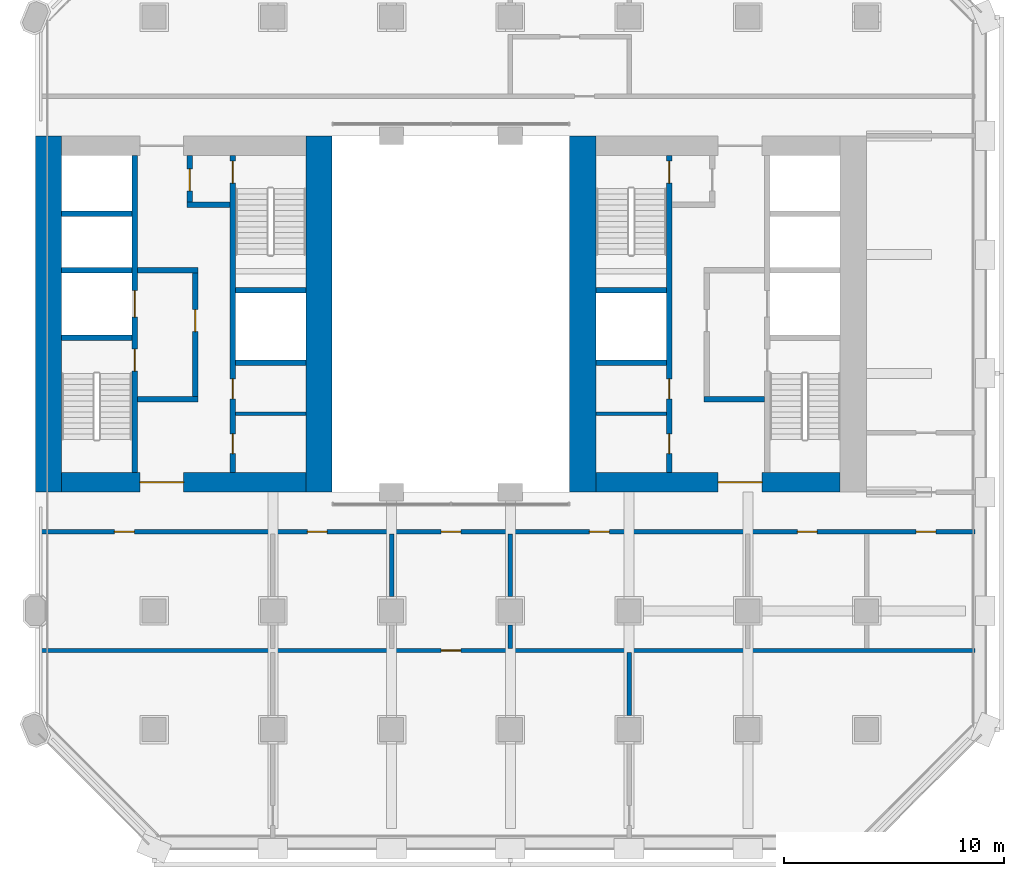
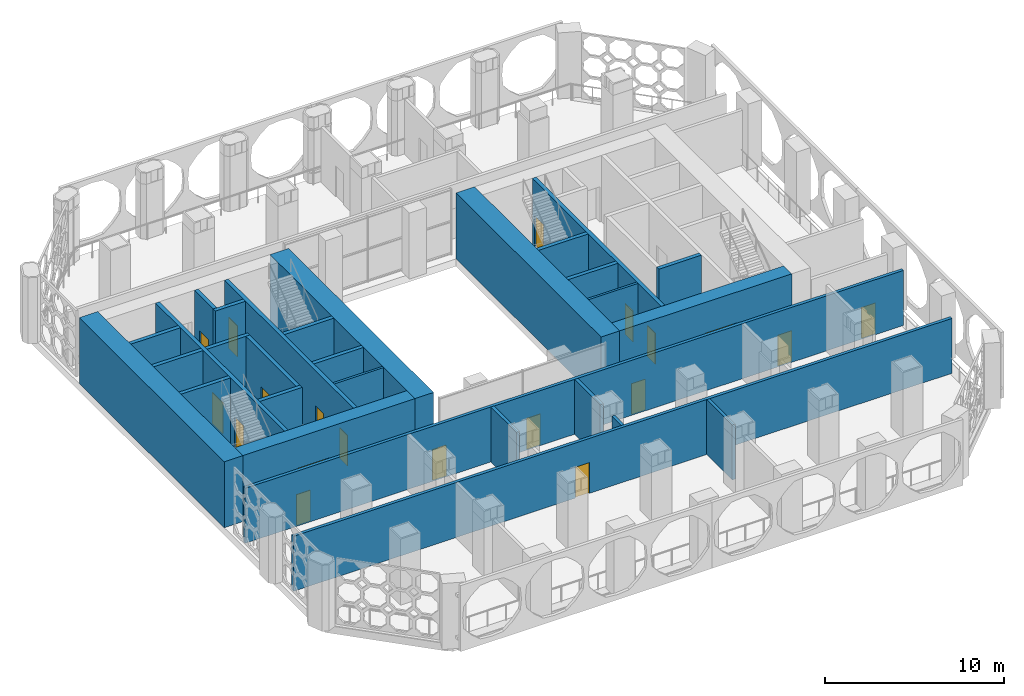
# One storey, part 8 of 14: 29 walls, 19 doors, 19 openings.
"""IFC4 building model written with IfcOpenShell, lengths in metres."""

from ifc_helpers import new_model, si_unit, direction, frame, frame_2d, origin, place, context, subcontext, project, spatial, rectangle, extrude, material, layer, layer_set, type_object, element, fill, save


model = new_model("IFC4")

# Units and contexts
model_context = context("Model", 3, precision=1e-05, world=origin(), true_north=direction((0.0, 1.0)))
body_context = subcontext(model_context, "Body", "Model", "MODEL_VIEW")
ifc_project = project(units=[si_unit("LENGTHUNIT", "METRE"), si_unit("AREAUNIT", "SQUARE_METRE"), si_unit("VOLUMEUNIT", "CUBIC_METRE"), si_unit("PLANEANGLEUNIT", "RADIAN"), si_unit("MASSUNIT", "GRAM", prefix="KILO")], contexts=[model_context])

# Site, building, storey
site_placement = place(None, origin())
site = spatial("IfcSite", under=ifc_project, at=site_placement, CompositionType="ELEMENT")
building_placement = place(site_placement, origin())
building = spatial("IfcBuilding", under=site, at=building_placement, Name="Tabaq Tower and Sports Hall", CompositionType="ELEMENT")
storey_placement = place(building_placement, frame((0.0, 0.0, 60.199951171875)))
storey = spatial("IfcBuildingStorey", under=building, at=storey_placement, Name="L13", CompositionType="ELEMENT", Elevation=60.199951171875)

# Walls
ifc_material_1 = material(Name="Blockwork", Category="masonry")
ifc_layer_1 = layer(ifc_material_1, 0.14990234375)
ifc_layer_set_1 = layer_set([ifc_layer_1], Name="Core room partition 150 Blockwork")
wall_type_1 = type_object("IfcWallType", Name="Core room partition 150 Blockwork", PredefinedType="PARTITIONING", material=ifc_layer_set_1)
wall_1_placement = place(storey_placement, frame((14.5, 19.76708984375, 0.0), z_axis=(0.0, 0.0, 1.0), x_axis=(1.0, 0.0, 0.0)))
element("IfcWall", 1, at=wall_1_placement, inside=storey, type_object=wall_type_1, Name="Core room partition W L13", PredefinedType="PARTITIONING", context=body_context, shape_type="SweptSolid", body=[
    extrude(rectangle(XDim=3.199951171875, YDim=0.14990234375, at=frame_2d((1.60009765625, 0.0))), origin(), (0.0, 0.0, 1.0), 4.5),
])
wall_2_placement = place(storey_placement, frame((30.89990234375, 19.76708984375, 0.0), z_axis=(0.0, 0.0, 1.0), x_axis=(1.0, 0.0, 0.0)))
element("IfcWall", 2, at=wall_2_placement, inside=storey, type_object=wall_type_1, Name="Core room partition E L13", PredefinedType="PARTITIONING", context=body_context, shape_type="SweptSolid", body=[
    extrude(rectangle(XDim=3.2001953125, YDim=0.14990234375, at=frame_2d((1.60009765625, 0.0))), origin(), (0.0, 0.0, 1.0), 4.5),
])
ifc_material_2 = material(Name="Concrete C60/75", Category="concrete")
ifc_layer_2 = layer(ifc_material_2, 1.199951171875)
ifc_layer_set_2 = layer_set([ifc_layer_2], Name="Core wall 1200 Concrete C60/75")
wall_type_2 = type_object("IfcWallType", Name="Core wall 1200 Concrete C60/75", PredefinedType="SOLIDWALL", material=ifc_layer_set_2)
for number, where, z_axis, x_axis, name in (
    (3, (6.0, 16.199951171875, 0.0), (0.0, 0.0, 1.0), (0.0, 1.0, 0.0), "Core wall W L13"),
    (4, (18.300048828125, 32.39990234375, 0.0), (0.0, 0.0, 1.0), (0.0, -1.0, 0.0), "Core wall W L13"),
    (5, (30.300048828125, 16.199951171875, 0.0), (0.0, 0.0, 1.0), (0.0, 1.0, 0.0), "Core wall E L13"),
):
    element("IfcWall", number, at=place(storey_placement, frame(where, z_axis=z_axis, x_axis=x_axis)), inside=storey, type_object=wall_type_2, Name=name, PredefinedType="SOLIDWALL", context=body_context, shape_type="SweptSolid", body=[
        extrude(rectangle(XDim=16.199951171875, YDim=1.199951171875, at=frame_2d((8.10009765625, 0.0))), origin(), (0.0, 0.0, 1.0), 4.5),
    ])

# Wall, opening, door
ifc_material_3 = material(Name="Concrete C60/75", Category="concrete")
ifc_layer_3 = layer(ifc_material_3, 0.89990234375)
ifc_layer_set_3 = layer_set([ifc_layer_3], Name="Core wall 900 Concrete C60/75")
wall_type_3 = type_object("IfcWallType", Name="Core wall 900 Concrete C60/75", PredefinedType="SOLIDWALL", material=ifc_layer_set_3)
wall_3_placement = place(storey_placement, frame((17.699951171875, 16.64990234375, 0.0), z_axis=(0.0, 0.0, 1.0), x_axis=(-1.0, 0.0, 0.0)))
wall_3 = element("IfcWall", 6, at=wall_3_placement, inside=storey, type_object=wall_type_3, Name="Core wall W L13", PredefinedType="SOLIDWALL", context=body_context, shape_type="SweptSolid", body=[
    extrude(rectangle(XDim=11.099853515625, YDim=0.89990234375, at=frame_2d((5.5498046875, 0.0))), origin(), (0.0, 0.0, 1.0), 4.5),
])
opening_1_placement = place(wall_3_placement, frame((5.550048828125, 0.0, 0.0)))
opening_1 = element("IfcOpeningElement", 7, at=opening_1_placement, cuts=wall_3, Name="Opening PD-WL13-01", PredefinedType="OPENING", context=body_context, shape_type="SweptSolid", body=[
    extrude(rectangle(XDim=2.0, YDim=2.39990234375, at=frame_2d((1.0, 1.199951171875))), frame((0.0, 0.449951171875, 0.0), z_axis=(0.0, -1.0, 0.0), x_axis=(1.0, 0.0, 0.0)), (0.0, 0.0, 1.0), 0.89990234375),
])
ifc_material_4 = material(Name="Steel fire door", Category="steel")
door_type_1 = type_object("IfcDoorType", Name="Core entrance door 2000", OperationType="DOUBLE_DOOR_SINGLE_SWING", PredefinedType="DOOR", material=ifc_material_4)
door_1_placement = place(opening_1_placement, origin())
door_1 = element("IfcDoor", 8, at=door_1_placement, inside=storey, type_object=door_type_1, Name="Core entrance south W L13", OperationType="DOUBLE_DOOR_SINGLE_SWING", OverallHeight=2.39990234375, OverallWidth=2.0, PredefinedType="DOOR", context=body_context, shape_type="SweptSolid", body=[
    extrude(rectangle(XDim=2.0, YDim=2.39990234375, at=frame_2d((1.0, 1.199951171875))), frame((0.0, 0.02490234375, 0.0), z_axis=(0.0, -1.0, 0.0), x_axis=(1.0, 0.0, 0.0)), (0.0, 0.0, 1.0), 0.050048828125),
])
fill(opening_1, door_1)

wall_4_placement = place(storey_placement, frame((42.0, 16.64990234375, 0.0), z_axis=(0.0, 0.0, 1.0), x_axis=(-1.0, 0.0, 0.0)))
wall_4 = element("IfcWall", 9, at=wall_4_placement, inside=storey, type_object=wall_type_3, Name="Core wall E L13", PredefinedType="SOLIDWALL", context=body_context, shape_type="SweptSolid", body=[
    extrude(rectangle(XDim=11.10009765625, YDim=0.89990234375, at=frame_2d((5.550048828125, 0.0))), origin(), (0.0, 0.0, 1.0), 4.5),
])
opening_2_placement = place(wall_4_placement, frame((3.550048828125, 0.0, 0.0)))
opening_2 = element("IfcOpeningElement", 10, at=opening_2_placement, cuts=wall_4, Name="Opening PD-EL13-01", PredefinedType="OPENING", context=body_context, shape_type="SweptSolid", body=[
    extrude(rectangle(XDim=2.0, YDim=2.39990234375, at=frame_2d((1.0, 1.199951171875))), frame((0.0, 0.449951171875, 0.0), z_axis=(0.0, -1.0, 0.0), x_axis=(1.0, 0.0, 0.0)), (0.0, 0.0, 1.0), 0.89990234375),
])
door_2_placement = place(opening_2_placement, origin())
door_2 = element("IfcDoor", 11, at=door_2_placement, inside=storey, type_object=door_type_1, Name="Core entrance south E L13", OperationType="DOUBLE_DOOR_SINGLE_SWING", OverallHeight=2.39990234375, OverallWidth=2.0, PredefinedType="DOOR", context=body_context, shape_type="SweptSolid", body=[
    extrude(rectangle(XDim=2.0, YDim=2.39990234375, at=frame_2d((1.0, 1.199951171875))), frame((0.0, 0.02490234375, 0.0), z_axis=(0.0, -1.0, 0.0), x_axis=(1.0, 0.0, 0.0)), (0.0, 0.0, 1.0), 0.050048828125),
])
fill(opening_2, door_2)

# Wall, openings, doors
ifc_material_5 = material(Name="Blockwork", Category="masonry")
ifc_layer_4 = layer(ifc_material_5, 0.199951171875)
ifc_layer_set_4 = layer_set([ifc_layer_4], Name="Fire compartment wall 200 Blockwork")
wall_type_4 = type_object("IfcWallType", Name="Fire compartment wall 200 Blockwork", PredefinedType="PARTITIONING", material=ifc_layer_set_4)
wall_5_placement = place(storey_placement, frame((5.64990234375, 14.39990234375, 0.0), z_axis=(0.0, 0.0, 1.0), x_axis=(1.0, 0.0, 0.0)))
wall_5 = element("IfcWall", 12, at=wall_5_placement, inside=storey, type_object=wall_type_4, Name="Compartment wall L13", PredefinedType="PARTITIONING", context=body_context, shape_type="SweptSolid", body=[
    extrude(rectangle(XDim=42.47021484375, YDim=0.199951171875, at=frame_2d((21.235107421875, 0.0))), origin(), (0.0, 0.0, 1.0), 3.75),
])
opening_3_placement = place(wall_5_placement, frame((3.35009765625, 0.0, 0.0)))
opening_3 = element("IfcOpeningElement", 13, at=opening_3_placement, cuts=wall_5, Name="Opening L13-001", PredefinedType="OPENING", context=body_context, shape_type="SweptSolid", body=[
    extrude(rectangle(XDim=0.89990234375, YDim=2.10009765625, at=frame_2d((0.449951171875, 1.050048828125))), frame((0.0, 0.10009765625, 0.0), z_axis=(0.0, -1.0, 0.0), x_axis=(1.0, 0.0, 0.0)), (0.0, 0.0, 1.0), 0.199951171875),
])
opening_4_placement = place(wall_5_placement, frame((12.125, 0.0, 0.0)))
opening_4 = element("IfcOpeningElement", 14, at=opening_4_placement, cuts=wall_5, Name="Opening L13-002", PredefinedType="OPENING", context=body_context, shape_type="SweptSolid", body=[
    extrude(rectangle(XDim=0.89990234375, YDim=2.10009765625, at=frame_2d((0.449951171875, 1.050048828125))), frame((0.0, 0.10009765625, 0.0), z_axis=(0.0, -1.0, 0.0), x_axis=(1.0, 0.0, 0.0)), (0.0, 0.0, 1.0), 0.199951171875),
])
opening_5_placement = place(wall_5_placement, frame((24.949951171875, 0.0, 0.0)))
opening_5 = element("IfcOpeningElement", 15, at=opening_5_placement, cuts=wall_5, Name="Opening L13-003", PredefinedType="OPENING", context=body_context, shape_type="SweptSolid", body=[
    extrude(rectangle(XDim=0.89990234375, YDim=2.10009765625, at=frame_2d((0.449951171875, 1.050048828125))), frame((0.0, 0.10009765625, 0.0), z_axis=(0.0, -1.0, 0.0), x_axis=(1.0, 0.0, 0.0)), (0.0, 0.0, 1.0), 0.199951171875),
])
opening_6_placement = place(wall_5_placement, frame((34.39990234375, 0.0, 0.0)))
opening_6 = element("IfcOpeningElement", 16, at=opening_6_placement, cuts=wall_5, Name="Opening L13-004", PredefinedType="OPENING", context=body_context, shape_type="SweptSolid", body=[
    extrude(rectangle(XDim=0.89990234375, YDim=2.10009765625, at=frame_2d((0.449951171875, 1.050048828125))), frame((0.0, 0.10009765625, 0.0), z_axis=(0.0, -1.0, 0.0), x_axis=(1.0, 0.0, 0.0)), (0.0, 0.0, 1.0), 0.199951171875),
])
opening_7_placement = place(wall_5_placement, frame((39.800048828125, 0.0, 0.0)))
opening_7 = element("IfcOpeningElement", 17, at=opening_7_placement, cuts=wall_5, Name="Opening L13-005", PredefinedType="OPENING", context=body_context, shape_type="SweptSolid", body=[
    extrude(rectangle(XDim=0.89990234375, YDim=2.10009765625, at=frame_2d((0.449951171875, 1.050048828125))), frame((0.0, 0.10009765625, 0.0), z_axis=(0.0, -1.0, 0.0), x_axis=(1.0, 0.0, 0.0)), (0.0, 0.0, 1.0), 0.199951171875),
])
opening_8_placement = place(wall_5_placement, frame((18.199951171875, 0.0, 0.0)))
opening_8 = element("IfcOpeningElement", 18, at=opening_8_placement, cuts=wall_5, Name="Opening L13-011", PredefinedType="OPENING", context=body_context, shape_type="SweptSolid", body=[
    extrude(rectangle(XDim=0.89990234375, YDim=2.10009765625, at=frame_2d((0.449951171875, 1.050048828125))), frame((0.0, 0.10009765625, 0.0), z_axis=(0.0, -1.0, 0.0), x_axis=(1.0, 0.0, 0.0)), (0.0, 0.0, 1.0), 0.199951171875),
])
ifc_material_6 = material(Name="Steel fire door", Category="steel")
door_type_2 = type_object("IfcDoorType", Name="Plant room door 900 left hand", OperationType="SINGLE_SWING_LEFT", PredefinedType="DOOR", material=ifc_material_6)
door_3_placement = place(opening_3_placement, origin())
door_3 = element("IfcDoor", 19, at=door_3_placement, inside=storey, type_object=door_type_2, Name="Plant room door L13-001", OperationType="SINGLE_SWING_LEFT", OverallHeight=2.10009765625, OverallWidth=0.89990234375, PredefinedType="DOOR", context=body_context, shape_type="SweptSolid", body=[
    extrude(rectangle(XDim=0.89990234375, YDim=2.10009765625, at=frame_2d((0.449951171875, 1.050048828125))), frame((0.0, 0.02490234375, 0.0), z_axis=(0.0, -1.0, 0.0), x_axis=(1.0, 0.0, 0.0)), (0.0, 0.0, 1.0), 0.050048828125),
])
fill(opening_3, door_3)
door_4_placement = place(opening_4_placement, origin())
door_4 = element("IfcDoor", 20, at=door_4_placement, inside=storey, type_object=door_type_2, Name="Plant room door L13-002", OperationType="SINGLE_SWING_LEFT", OverallHeight=2.10009765625, OverallWidth=0.89990234375, PredefinedType="DOOR", context=body_context, shape_type="SweptSolid", body=[
    extrude(rectangle(XDim=0.89990234375, YDim=2.10009765625, at=frame_2d((0.449951171875, 1.050048828125))), frame((0.0, 0.02490234375, 0.0), z_axis=(0.0, -1.0, 0.0), x_axis=(1.0, 0.0, 0.0)), (0.0, 0.0, 1.0), 0.050048828125),
])
fill(opening_4, door_4)
door_5_placement = place(opening_5_placement, origin())
door_5 = element("IfcDoor", 21, at=door_5_placement, inside=storey, type_object=door_type_2, Name="Plant room door L13-003", OperationType="SINGLE_SWING_LEFT", OverallHeight=2.10009765625, OverallWidth=0.89990234375, PredefinedType="DOOR", context=body_context, shape_type="SweptSolid", body=[
    extrude(rectangle(XDim=0.89990234375, YDim=2.10009765625, at=frame_2d((0.449951171875, 1.050048828125))), frame((0.0, 0.02490234375, 0.0), z_axis=(0.0, -1.0, 0.0), x_axis=(1.0, 0.0, 0.0)), (0.0, 0.0, 1.0), 0.050048828125),
])
fill(opening_5, door_5)
ifc_material_7 = material(Name="Steel fire door", Category="steel")
door_type_3 = type_object("IfcDoorType", Name="Plant room door 900 right hand", OperationType="SINGLE_SWING_RIGHT", PredefinedType="DOOR", material=ifc_material_7)
door_6_placement = place(opening_6_placement, origin())
door_6 = element("IfcDoor", 22, at=door_6_placement, inside=storey, type_object=door_type_3, Name="Plant room door L13-004", OperationType="SINGLE_SWING_RIGHT", OverallHeight=2.10009765625, OverallWidth=0.89990234375, PredefinedType="DOOR", context=body_context, shape_type="SweptSolid", body=[
    extrude(rectangle(XDim=0.89990234375, YDim=2.10009765625, at=frame_2d((0.449951171875, 1.050048828125))), frame((0.0, 0.02490234375, 0.0), z_axis=(0.0, -1.0, 0.0), x_axis=(1.0, 0.0, 0.0)), (0.0, 0.0, 1.0), 0.050048828125),
])
fill(opening_6, door_6)
door_7_placement = place(opening_7_placement, origin())
door_7 = element("IfcDoor", 23, at=door_7_placement, inside=storey, type_object=door_type_3, Name="Plant room door L13-005", OperationType="SINGLE_SWING_RIGHT", OverallHeight=2.10009765625, OverallWidth=0.89990234375, PredefinedType="DOOR", context=body_context, shape_type="SweptSolid", body=[
    extrude(rectangle(XDim=0.89990234375, YDim=2.10009765625, at=frame_2d((0.449951171875, 1.050048828125))), frame((0.0, 0.02490234375, 0.0), z_axis=(0.0, -1.0, 0.0), x_axis=(1.0, 0.0, 0.0)), (0.0, 0.0, 1.0), 0.050048828125),
])
fill(opening_7, door_7)
door_8_placement = place(opening_8_placement, origin())
door_8 = element("IfcDoor", 24, at=door_8_placement, inside=storey, type_object=door_type_3, Name="Plant room door L13-011", OperationType="SINGLE_SWING_RIGHT", OverallHeight=2.10009765625, OverallWidth=0.89990234375, PredefinedType="DOOR", context=body_context, shape_type="SweptSolid", body=[
    extrude(rectangle(XDim=0.89990234375, YDim=2.10009765625, at=frame_2d((0.449951171875, 1.050048828125))), frame((0.0, 0.02490234375, 0.0), z_axis=(0.0, -1.0, 0.0), x_axis=(1.0, 0.0, 0.0)), (0.0, 0.0, 1.0), 0.050048828125),
])
fill(opening_8, door_8)

# Wall
wall_6_placement = place(storey_placement, frame((32.39990234375, 6.05078125, 0.0), z_axis=(0.0, 0.0, 1.0), x_axis=(0.0, 1.0, 0.0)))
element("IfcWall", 25, at=wall_6_placement, inside=storey, type_object=wall_type_4, Name="Compartment wall L13", PredefinedType="PARTITIONING", context=body_context, shape_type="SweptSolid", body=[
    extrude(rectangle(XDim=2.84912109375, YDim=0.199951171875, at=frame_2d((1.424560546875, 0.0))), origin(), (0.0, 0.0, 1.0), 3.75),
])

# Wall, opening, door
wall_7_placement = place(storey_placement, frame((48.1201171875, 9.0, 0.0), z_axis=(0.0, 0.0, 1.0), x_axis=(-1.0, 0.0, 0.0)))
wall_7 = element("IfcWall", 26, at=wall_7_placement, inside=storey, type_object=wall_type_4, Name="Compartment wall L13", PredefinedType="PARTITIONING", context=body_context, shape_type="SweptSolid", body=[
    extrude(rectangle(XDim=42.47021484375, YDim=0.199951171875, at=frame_2d((21.235107421875, 0.0))), origin(), (0.0, 0.0, 1.0), 3.75),
])
opening_9_placement = place(wall_7_placement, frame((23.3701171875, 0.0, 0.0)))
opening_9 = element("IfcOpeningElement", 27, at=opening_9_placement, cuts=wall_7, Name="Opening L13-015", PredefinedType="OPENING", context=body_context, shape_type="SweptSolid", body=[
    extrude(rectangle(XDim=0.89990234375, YDim=2.10009765625, at=frame_2d((0.449951171875, 1.050048828125))), frame((0.0, 0.10009765625, 0.0), z_axis=(0.0, -1.0, 0.0), x_axis=(1.0, 0.0, 0.0)), (0.0, 0.0, 1.0), 0.199951171875),
])
ifc_material_8 = material(Name="Steel fire door", Category="steel")
door_type_4 = type_object("IfcDoorType", Name="Refuge holding area door 900 right hand", OperationType="SINGLE_SWING_RIGHT", PredefinedType="DOOR", material=ifc_material_8)
door_9_placement = place(opening_9_placement, origin())
door_9 = element("IfcDoor", 28, at=door_9_placement, inside=storey, type_object=door_type_4, Name="Refuge holding area door L13-015", OperationType="SINGLE_SWING_RIGHT", OverallHeight=2.10009765625, OverallWidth=0.89990234375, PredefinedType="DOOR", context=body_context, shape_type="SweptSolid", body=[
    extrude(rectangle(XDim=0.89990234375, YDim=2.10009765625, at=frame_2d((0.449951171875, 1.050048828125))), frame((0.0, 0.02490234375, 0.0), z_axis=(0.0, -1.0, 0.0), x_axis=(1.0, 0.0, 0.0)), (0.0, 0.0, 1.0), 0.050048828125),
])
fill(opening_9, door_9)

# Walls
for number, where, z_axis, x_axis, name in (
    (29, (21.60009765625, 11.45068359375, 0.0), (0.0, 0.0, 1.0), (0.0, 1.0, 0.0), "Compartment wall L13"),
    (30, (27.0, 14.300048828125, 0.0), (0.0, 0.0, 1.0), (0.0, -1.0, 0.0), "Compartment wall L13"),
):
    element("IfcWall", number, at=place(storey_placement, frame(where, z_axis=z_axis, x_axis=x_axis)), inside=storey, type_object=wall_type_4, Name=name, PredefinedType="PARTITIONING", context=body_context, shape_type="SweptSolid", body=[
        extrude(rectangle(XDim=2.849365234375, YDim=0.199951171875, at=frame_2d((1.4248046875, 0.0))), origin(), (0.0, 0.0, 1.0), 3.75),
    ])
wall_8_placement = place(storey_placement, frame((27.0, 10.1494140625, 0.0), z_axis=(0.0, 0.0, 1.0), x_axis=(0.0, -1.0, 0.0)))
element("IfcWall", 31, at=wall_8_placement, inside=storey, type_object=wall_type_4, Name="Compartment wall L13", PredefinedType="PARTITIONING", context=body_context, shape_type="SweptSolid", body=[
    extrude(rectangle(XDim=1.04931640625, YDim=0.199951171875, at=frame_2d((0.524658203125, 0.0))), origin(), (0.0, 0.0, 1.0), 3.75),
])

# Wall, openings, doors
ifc_material_9 = material(Name="Concrete C40/50", Category="concrete")
ifc_layer_5 = layer(ifc_material_9, 0.25)
ifc_layer_set_5 = layer_set([ifc_layer_5], Name="Shaft and stair wall 250 Concrete C40/50")
wall_type_5 = type_object("IfcWallType", Name="Shaft and stair wall 250 Concrete C40/50", PredefinedType="SOLIDWALL", material=ifc_layer_set_5)
wall_9_placement = place(storey_placement, frame((9.925048828125, 17.10009765625, 0.0), z_axis=(0.0, 0.0, 1.0), x_axis=(0.0, 1.0, 0.0)))
wall_9 = element("IfcWall", 32, at=wall_9_placement, inside=storey, type_object=wall_type_5, Name="Shaft wall W L13", PredefinedType="SOLIDWALL", context=body_context, shape_type="SweptSolid", body=[
    extrude(rectangle(XDim=14.39990234375, YDim=0.25, at=frame_2d((7.199951171875, 0.0))), origin(), (0.0, 0.0, 1.0), 4.5),
])
opening_10_placement = place(wall_9_placement, frame((4.60009765625, 0.0, 0.0)))
opening_10 = element("IfcOpeningElement", 33, at=opening_10_placement, cuts=wall_9, Name="Opening SD-WL13-03", PredefinedType="OPENING", context=body_context, shape_type="SweptSolid", body=[
    extrude(rectangle(XDim=1.0, YDim=2.10009765625, at=frame_2d((0.5, 1.050048828125))), frame((0.0, 0.125, 0.0), z_axis=(0.0, -1.0, 0.0), x_axis=(1.0, 0.0, 0.0)), (0.0, 0.0, 1.0), 0.25),
])
opening_11_placement = place(wall_9_placement, frame((7.0625, 0.0, 0.0)))
opening_11 = element("IfcOpeningElement", 34, at=opening_11_placement, cuts=wall_9, Name="Opening LD-FF1-L13", PredefinedType="OPENING", context=body_context, shape_type="SweptSolid", body=[
    extrude(rectangle(XDim=1.199951171875, YDim=2.10009765625, at=frame_2d((0.60009765625, 1.050048828125))), frame((0.0, 0.125, 0.0), z_axis=(0.0, -1.0, 0.0), x_axis=(1.0, 0.0, 0.0)), (0.0, 0.0, 1.0), 0.25),
])
ifc_material_10 = material(Name="Stainless steel", Category="steel")
door_type_5 = type_object("IfcDoorType", Name="Lift landing door 1200", OperationType="DOUBLE_DOOR_SLIDING", PredefinedType="DOOR", material=ifc_material_10)
door_10_placement = place(opening_11_placement, origin())
door_10 = element("IfcDoor", 35, at=door_10_placement, inside=storey, type_object=door_type_5, Name="Lift landing door FF1 W L13", OperationType="DOUBLE_DOOR_SLIDING", OverallHeight=2.10009765625, OverallWidth=1.199951171875, PredefinedType="DOOR", context=body_context, shape_type="SweptSolid", body=[
    extrude(rectangle(XDim=1.199951171875, YDim=2.10009765625, at=frame_2d((0.60009765625, 1.050048828125))), frame((0.0, 0.02490234375, 0.0), z_axis=(0.0, -1.0, 0.0), x_axis=(1.0, 0.0, 0.0)), (0.0, 0.0, 1.0), 0.050048828125),
])
fill(opening_11, door_10)
ifc_material_11 = material(Name="Steel fire door", Category="steel")
door_type_6 = type_object("IfcDoorType", Name="Stair door 1000", OperationType="SINGLE_SWING_LEFT", PredefinedType="DOOR", material=ifc_material_11)
door_11_placement = place(opening_10_placement, origin())
door_11 = element("IfcDoor", 36, at=door_11_placement, inside=storey, type_object=door_type_6, Name="Stair door ST1 W L13", OperationType="SINGLE_SWING_LEFT", OverallHeight=2.10009765625, OverallWidth=1.0, PredefinedType="DOOR", context=body_context, shape_type="SweptSolid", body=[
    extrude(rectangle(XDim=1.0, YDim=2.10009765625, at=frame_2d((0.5, 1.050048828125))), frame((0.0, 0.02490234375, 0.0), z_axis=(0.0, -1.0, 0.0), x_axis=(1.0, 0.0, 0.0)), (0.0, 0.0, 1.0), 0.050048828125),
])
fill(opening_10, door_11)

wall_10_placement = place(storey_placement, frame((14.375, 17.10009765625, 0.0), z_axis=(0.0, 0.0, 1.0), x_axis=(0.0, 1.0, 0.0)))
wall_10 = element("IfcWall", 37, at=wall_10_placement, inside=storey, type_object=wall_type_5, Name="Shaft wall W L13", PredefinedType="SOLIDWALL", context=body_context, shape_type="SweptSolid", body=[
    extrude(rectangle(XDim=14.39990234375, YDim=0.25, at=frame_2d((7.199951171875, 0.0))), origin(), (0.0, 0.0, 1.0), 4.5),
])
opening_12_placement = place(wall_10_placement, frame((13.14990234375, 0.0, 0.0)))
opening_12 = element("IfcOpeningElement", 38, at=opening_12_placement, cuts=wall_10, Name="Opening SD-WL13-05", PredefinedType="OPENING", context=body_context, shape_type="SweptSolid", body=[
    extrude(rectangle(XDim=1.0, YDim=2.10009765625, at=frame_2d((0.5, 1.050048828125))), frame((0.0, 0.125, 0.0), z_axis=(0.0, -1.0, 0.0), x_axis=(1.0, 0.0, 0.0)), (0.0, 0.0, 1.0), 0.25),
])
opening_13_placement = place(wall_10_placement, frame((0.845947265625, 0.0, 0.0)))
opening_13 = element("IfcOpeningElement", 39, at=opening_13_placement, cuts=wall_10, Name="Opening RD-WL13-08", PredefinedType="OPENING", context=body_context, shape_type="SweptSolid", body=[
    extrude(rectangle(XDim=0.89990234375, YDim=2.10009765625, at=frame_2d((0.449951171875, 1.050048828125))), frame((0.0, 0.125, 0.0), z_axis=(0.0, -1.0, 0.0), x_axis=(1.0, 0.0, 0.0)), (0.0, 0.0, 1.0), 0.25),
])
opening_14_placement = place(wall_10_placement, frame((3.345947265625, 0.0, 0.0)))
opening_14 = element("IfcOpeningElement", 40, at=opening_14_placement, cuts=wall_10, Name="Opening RD-WL13-09", PredefinedType="OPENING", context=body_context, shape_type="SweptSolid", body=[
    extrude(rectangle(XDim=0.89990234375, YDim=2.10009765625, at=frame_2d((0.449951171875, 1.050048828125))), frame((0.0, 0.125, 0.0), z_axis=(0.0, -1.0, 0.0), x_axis=(1.0, 0.0, 0.0)), (0.0, 0.0, 1.0), 0.25),
])
ifc_material_12 = material(Name="Steel fire door", Category="steel")
door_type_7 = type_object("IfcDoorType", Name="Core room door 900", OperationType="SINGLE_SWING_LEFT", PredefinedType="DOOR", material=ifc_material_12)
door_12_placement = place(opening_13_placement, origin())
door_12 = element("IfcDoor", 41, at=door_12_placement, inside=storey, type_object=door_type_7, Name="Door Refuge Floor Plant Room W L13", OperationType="SINGLE_SWING_LEFT", OverallHeight=2.10009765625, OverallWidth=0.89990234375, PredefinedType="DOOR", context=body_context, shape_type="SweptSolid", body=[
    extrude(rectangle(XDim=0.89990234375, YDim=2.10009765625, at=frame_2d((0.449951171875, 1.050048828125))), frame((0.0, 0.02490234375, 0.0), z_axis=(0.0, -1.0, 0.0), x_axis=(1.0, 0.0, 0.0)), (0.0, 0.0, 1.0), 0.050048828125),
])
fill(opening_13, door_12)
door_13_placement = place(opening_14_placement, origin())
door_13 = element("IfcDoor", 42, at=door_13_placement, inside=storey, type_object=door_type_7, Name="Door Smoke Extract Riser Room W L13", OperationType="SINGLE_SWING_LEFT", OverallHeight=2.10009765625, OverallWidth=0.89990234375, PredefinedType="DOOR", context=body_context, shape_type="SweptSolid", body=[
    extrude(rectangle(XDim=0.89990234375, YDim=2.10009765625, at=frame_2d((0.449951171875, 1.050048828125))), frame((0.0, 0.02490234375, 0.0), z_axis=(0.0, -1.0, 0.0), x_axis=(1.0, 0.0, 0.0)), (0.0, 0.0, 1.0), 0.050048828125),
])
fill(opening_14, door_13)
door_14_placement = place(opening_12_placement, origin())
door_14 = element("IfcDoor", 43, at=door_14_placement, inside=storey, type_object=door_type_6, Name="Stair door ST2 W L13", OperationType="SINGLE_SWING_LEFT", OverallHeight=2.10009765625, OverallWidth=1.0, PredefinedType="DOOR", context=body_context, shape_type="SweptSolid", body=[
    extrude(rectangle(XDim=1.0, YDim=2.10009765625, at=frame_2d((0.5, 1.050048828125))), frame((0.0, 0.02490234375, 0.0), z_axis=(0.0, -1.0, 0.0), x_axis=(1.0, 0.0, 0.0)), (0.0, 0.0, 1.0), 0.050048828125),
])
fill(opening_12, door_14)

# Walls
for number, where, z_axis, x_axis, name in (
    (44, (6.60009765625, 23.22509765625, 0.0), (0.0, 0.0, 1.0), (1.0, 0.0, 0.0), "Stair enclosure wall W L13"),
    (45, (14.5, 25.375, 0.0), (0.0, 0.0, 1.0), (1.0, 0.0, 0.0), "Stair enclosure wall W L13"),
    (46, (14.5, 22.074951171875, 0.0), (0.0, 0.0, 1.0), (1.0, 0.0, 0.0), "Shaft wall W L13"),
    (47, (6.60009765625, 26.300048828125, 0.0), (0.0, 0.0, 1.0), (1.0, 0.0, 0.0), "Shaft wall W L13"),
):
    element("IfcWall", number, at=place(storey_placement, frame(where, z_axis=z_axis, x_axis=x_axis)), inside=storey, type_object=wall_type_5, Name=name, PredefinedType="SOLIDWALL", context=body_context, shape_type="SweptSolid", body=[
        extrude(rectangle(XDim=3.199951171875, YDim=0.25, at=frame_2d((1.60009765625, 0.0))), origin(), (0.0, 0.0, 1.0), 4.5),
    ])
for number, where, z_axis, x_axis, name in (
    (48, (10.050048828125, 26.300048828125, 0.0), (0.0, 0.0, 1.0), (1.0, 0.0, 0.0), "Fire-fighting lobby wall W L13"),
    (49, (10.050048828125, 20.425048828125, 0.0), (0.0, 0.0, 1.0), (1.0, 0.0, 0.0), "Fire-fighting lobby wall W L13"),
):
    element("IfcWall", number, at=place(storey_placement, frame(where, z_axis=z_axis, x_axis=x_axis)), inside=storey, type_object=wall_type_5, Name=name, PredefinedType="SOLIDWALL", context=body_context, shape_type="SweptSolid", body=[
        extrude(rectangle(XDim=2.75, YDim=0.25, at=frame_2d((1.375, 0.0))), origin(), (0.0, 0.0, 1.0), 4.5),
    ])

# Wall, opening, door
wall_11_placement = place(storey_placement, frame((12.425048828125, 29.39990234375, 0.0), z_axis=(0.0, 0.0, 1.0), x_axis=(0.0, 1.0, 0.0)))
wall_11 = element("IfcWall", 50, at=wall_11_placement, inside=storey, type_object=wall_type_5, Name="Fire-fighting lobby wall W L13", PredefinedType="SOLIDWALL", context=body_context, shape_type="SweptSolid", body=[
    extrude(rectangle(XDim=2.10009765625, YDim=0.25, at=frame_2d((1.050048828125, 0.0))), origin(), (0.0, 0.0, 1.0), 4.5),
])
opening_15_placement = place(wall_11_placement, frame((0.5, 0.0, 0.0)))
opening_15 = element("IfcOpeningElement", 51, at=opening_15_placement, cuts=wall_11, Name="Opening FD-WL13-06", PredefinedType="OPENING", context=body_context, shape_type="SweptSolid", body=[
    extrude(rectangle(XDim=1.0, YDim=2.10009765625, at=frame_2d((0.5, 1.050048828125))), frame((0.0, 0.125, 0.0), z_axis=(0.0, -1.0, 0.0), x_axis=(1.0, 0.0, 0.0)), (0.0, 0.0, 1.0), 0.25),
])
ifc_material_13 = material(Name="Steel fire door", Category="steel")
door_type_8 = type_object("IfcDoorType", Name="Fire-fighting lobby door 1000", OperationType="SINGLE_SWING_LEFT", PredefinedType="DOOR", material=ifc_material_13)
door_15_placement = place(opening_15_placement, origin())
door_15 = element("IfcDoor", 52, at=door_15_placement, inside=storey, type_object=door_type_8, Name="Stair lobby door W L13", OperationType="SINGLE_SWING_LEFT", OverallHeight=2.10009765625, OverallWidth=1.0, PredefinedType="DOOR", context=body_context, shape_type="SweptSolid", body=[
    extrude(rectangle(XDim=1.0, YDim=2.10009765625, at=frame_2d((0.5, 1.050048828125))), frame((0.0, 0.02490234375, 0.0), z_axis=(0.0, -1.0, 0.0), x_axis=(1.0, 0.0, 0.0)), (0.0, 0.0, 1.0), 0.050048828125),
])
fill(opening_15, door_15)

# Wall
wall_12_placement = place(storey_placement, frame((12.300048828125, 29.27490234375, 0.0), z_axis=(0.0, 0.0, 1.0), x_axis=(1.0, 0.0, 0.0)))
element("IfcWall", 53, at=wall_12_placement, inside=storey, type_object=wall_type_5, Name="Fire-fighting lobby wall W L13", PredefinedType="SOLIDWALL", context=body_context, shape_type="SweptSolid", body=[
    extrude(rectangle(XDim=1.949951171875, YDim=0.25, at=frame_2d((0.97509765625, 0.0))), origin(), (0.0, 0.0, 1.0), 4.5),
])

# Wall, opening, door
wall_13_placement = place(storey_placement, frame((12.675048828125, 20.550048828125, 0.0), z_axis=(0.0, 0.0, 1.0), x_axis=(0.0, 1.0, 0.0)))
wall_13 = element("IfcWall", 54, at=wall_13_placement, inside=storey, type_object=wall_type_5, Name="Fire-fighting lobby wall W L13", PredefinedType="SOLIDWALL", context=body_context, shape_type="SweptSolid", body=[
    extrude(rectangle(XDim=5.625, YDim=0.25, at=frame_2d((2.8125, 0.0))), origin(), (0.0, 0.0, 1.0), 4.5),
])
opening_16_placement = place(wall_13_placement, frame((2.949951171875, 0.0, 0.0)))
opening_16 = element("IfcOpeningElement", 55, at=opening_16_placement, cuts=wall_13, Name="Opening FD-WL13-04", PredefinedType="OPENING", context=body_context, shape_type="SweptSolid", body=[
    extrude(rectangle(XDim=1.0, YDim=2.10009765625, at=frame_2d((0.5, 1.050048828125))), frame((0.0, 0.125, 0.0), z_axis=(0.0, -1.0, 0.0), x_axis=(1.0, 0.0, 0.0)), (0.0, 0.0, 1.0), 0.25),
])
door_16_placement = place(opening_16_placement, origin())
door_16 = element("IfcDoor", 56, at=door_16_placement, inside=storey, type_object=door_type_8, Name="Fire-fighting lobby door W L13", OperationType="SINGLE_SWING_LEFT", OverallHeight=2.10009765625, OverallWidth=1.0, PredefinedType="DOOR", context=body_context, shape_type="SweptSolid", body=[
    extrude(rectangle(XDim=1.0, YDim=2.10009765625, at=frame_2d((0.5, 1.050048828125))), frame((0.0, 0.02490234375, 0.0), z_axis=(0.0, -1.0, 0.0), x_axis=(1.0, 0.0, 0.0)), (0.0, 0.0, 1.0), 0.050048828125),
])
fill(opening_16, door_16)

# Wall
wall_14_placement = place(storey_placement, frame((6.60009765625, 28.85009765625, 0.0), z_axis=(0.0, 0.0, 1.0), x_axis=(1.0, 0.0, 0.0)))
element("IfcWall", 57, at=wall_14_placement, inside=storey, type_object=wall_type_5, Name="Shaft wall W L13", PredefinedType="SOLIDWALL", context=body_context, shape_type="SweptSolid", body=[
    extrude(rectangle(XDim=3.199951171875, YDim=0.25, at=frame_2d((1.60009765625, 0.0))), origin(), (0.0, 0.0, 1.0), 4.5),
])

# Wall, openings, doors
wall_15_placement = place(storey_placement, frame((34.22509765625, 17.10009765625, 0.0), z_axis=(0.0, 0.0, 1.0), x_axis=(0.0, 1.0, 0.0)))
wall_15 = element("IfcWall", 58, at=wall_15_placement, inside=storey, type_object=wall_type_5, Name="Shaft wall E L13", PredefinedType="SOLIDWALL", context=body_context, shape_type="SweptSolid", body=[
    extrude(rectangle(XDim=14.39990234375, YDim=0.25, at=frame_2d((7.199951171875, 0.0))), origin(), (0.0, 0.0, 1.0), 4.5),
])
opening_17_placement = place(wall_15_placement, frame((13.14990234375, 0.0, 0.0)))
opening_17 = element("IfcOpeningElement", 59, at=opening_17_placement, cuts=wall_15, Name="Opening SD-EL13-05", PredefinedType="OPENING", context=body_context, shape_type="SweptSolid", body=[
    extrude(rectangle(XDim=1.0, YDim=2.10009765625, at=frame_2d((0.5, 1.050048828125))), frame((0.0, 0.125, 0.0), z_axis=(0.0, -1.0, 0.0), x_axis=(1.0, 0.0, 0.0)), (0.0, 0.0, 1.0), 0.25),
])
opening_18_placement = place(wall_15_placement, frame((0.845947265625, 0.0, 0.0)))
opening_18 = element("IfcOpeningElement", 60, at=opening_18_placement, cuts=wall_15, Name="Opening RD-EL13-08", PredefinedType="OPENING", context=body_context, shape_type="SweptSolid", body=[
    extrude(rectangle(XDim=0.89990234375, YDim=2.10009765625, at=frame_2d((0.449951171875, 1.050048828125))), frame((0.0, 0.125, 0.0), z_axis=(0.0, -1.0, 0.0), x_axis=(1.0, 0.0, 0.0)), (0.0, 0.0, 1.0), 0.25),
])
opening_19_placement = place(wall_15_placement, frame((3.345947265625, 0.0, 0.0)))
opening_19 = element("IfcOpeningElement", 61, at=opening_19_placement, cuts=wall_15, Name="Opening RD-EL13-09", PredefinedType="OPENING", context=body_context, shape_type="SweptSolid", body=[
    extrude(rectangle(XDim=0.89990234375, YDim=2.10009765625, at=frame_2d((0.449951171875, 1.050048828125))), frame((0.0, 0.125, 0.0), z_axis=(0.0, -1.0, 0.0), x_axis=(1.0, 0.0, 0.0)), (0.0, 0.0, 1.0), 0.25),
])
door_17_placement = place(opening_18_placement, origin())
door_17 = element("IfcDoor", 62, at=door_17_placement, inside=storey, type_object=door_type_7, Name="Door Refuge Floor Plant Room E L13", OperationType="SINGLE_SWING_LEFT", OverallHeight=2.10009765625, OverallWidth=0.89990234375, PredefinedType="DOOR", context=body_context, shape_type="SweptSolid", body=[
    extrude(rectangle(XDim=0.89990234375, YDim=2.10009765625, at=frame_2d((0.449951171875, 1.050048828125))), frame((0.0, 0.02490234375, 0.0), z_axis=(0.0, -1.0, 0.0), x_axis=(1.0, 0.0, 0.0)), (0.0, 0.0, 1.0), 0.050048828125),
])
fill(opening_18, door_17)
door_18_placement = place(opening_19_placement, origin())
door_18 = element("IfcDoor", 63, at=door_18_placement, inside=storey, type_object=door_type_7, Name="Door Smoke Extract Riser Room E L13", OperationType="SINGLE_SWING_LEFT", OverallHeight=2.10009765625, OverallWidth=0.89990234375, PredefinedType="DOOR", context=body_context, shape_type="SweptSolid", body=[
    extrude(rectangle(XDim=0.89990234375, YDim=2.10009765625, at=frame_2d((0.449951171875, 1.050048828125))), frame((0.0, 0.02490234375, 0.0), z_axis=(0.0, -1.0, 0.0), x_axis=(1.0, 0.0, 0.0)), (0.0, 0.0, 1.0), 0.050048828125),
])
fill(opening_19, door_18)
door_19_placement = place(opening_17_placement, origin())
door_19 = element("IfcDoor", 64, at=door_19_placement, inside=storey, type_object=door_type_6, Name="Stair door ST4 E L13", OperationType="SINGLE_SWING_LEFT", OverallHeight=2.10009765625, OverallWidth=1.0, PredefinedType="DOOR", context=body_context, shape_type="SweptSolid", body=[
    extrude(rectangle(XDim=1.0, YDim=2.10009765625, at=frame_2d((0.5, 1.050048828125))), frame((0.0, 0.02490234375, 0.0), z_axis=(0.0, -1.0, 0.0), x_axis=(1.0, 0.0, 0.0)), (0.0, 0.0, 1.0), 0.050048828125),
])
fill(opening_17, door_19)

# Walls
for number, where, z_axis, x_axis, name in (
    (65, (30.89990234375, 25.375, 0.0), (0.0, 0.0, 1.0), (1.0, 0.0, 0.0), "Stair enclosure wall E L13"),
    (66, (30.89990234375, 22.074951171875, 0.0), (0.0, 0.0, 1.0), (1.0, 0.0, 0.0), "Shaft wall E L13"),
):
    element("IfcWall", number, at=place(storey_placement, frame(where, z_axis=z_axis, x_axis=x_axis)), inside=storey, type_object=wall_type_5, Name=name, PredefinedType="SOLIDWALL", context=body_context, shape_type="SweptSolid", body=[
        extrude(rectangle(XDim=3.2001953125, YDim=0.25, at=frame_2d((1.60009765625, 0.0))), origin(), (0.0, 0.0, 1.0), 4.5),
    ])
wall_16_placement = place(storey_placement, frame((35.800048828125, 20.425048828125, 0.0), z_axis=(0.0, 0.0, 1.0), x_axis=(1.0, 0.0, 0.0)))
element("IfcWall", 67, at=wall_16_placement, inside=storey, type_object=wall_type_5, Name="Fire-fighting lobby wall E L13", PredefinedType="SOLIDWALL", context=body_context, shape_type="SweptSolid", body=[
    extrude(rectangle(XDim=2.75, YDim=0.25, at=frame_2d((1.375, 0.0))), origin(), (0.0, 0.0, 1.0), 4.5),
])

save(model, "model.ifc")
